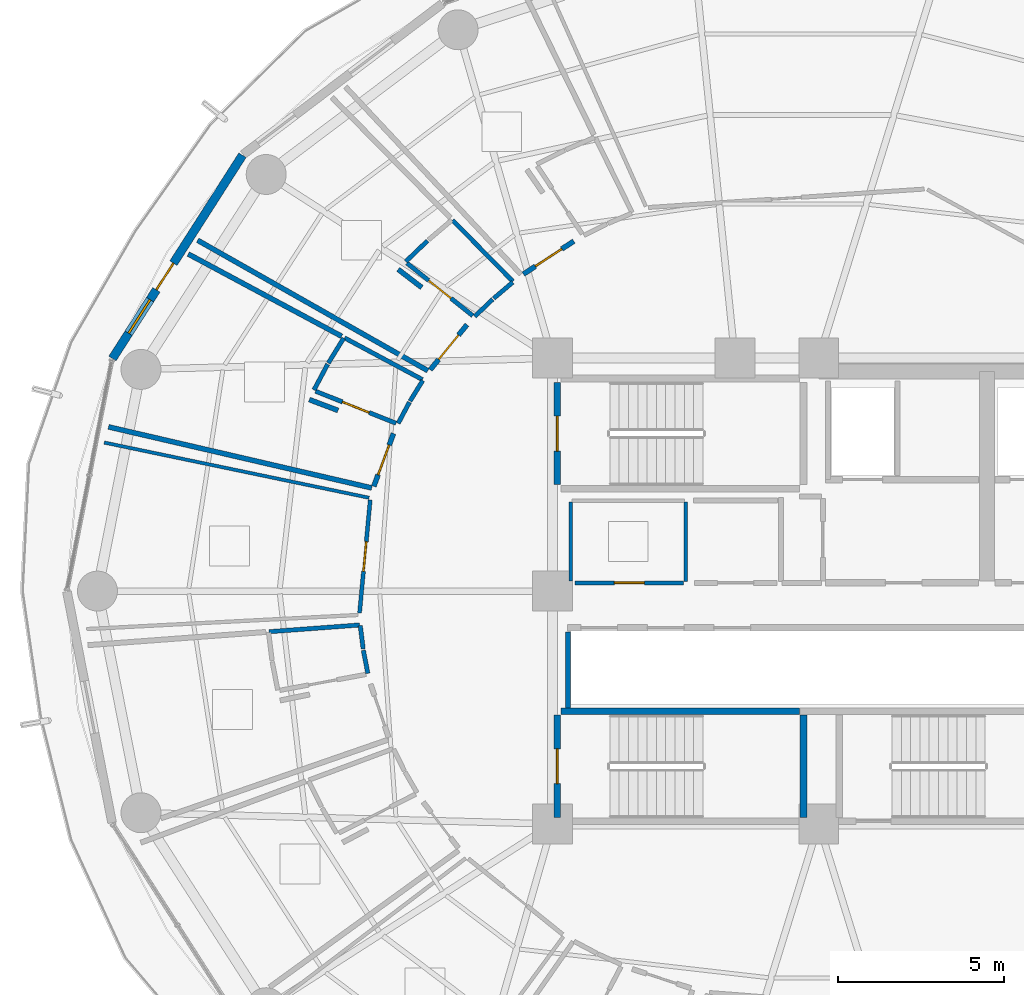
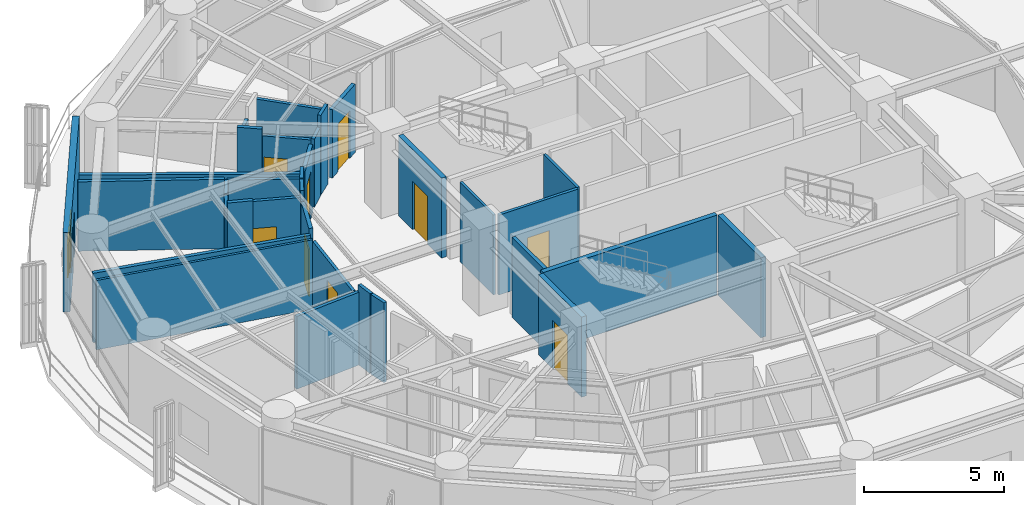
# One storey, part 22 of 29: 33 walls, 10 doors, 1 window, 11 openings.
"""IFC4 building model written with IfcOpenShell, lengths in metres."""

from ifc_helpers import new_model, si_unit, direction, frame, frame_2d, origin, place, context, subcontext, project, spatial, rectangle, extrude, material, layer, layer_set, type_object, element, fill, save


model = new_model("IFC4")

# Units and contexts
model_context = context("Model", 3, precision=1e-05, world=origin(), true_north=direction((0.0, 1.0)))
body_context = subcontext(model_context, "Body", "Model", "MODEL_VIEW")
ifc_project = project(units=[si_unit("LENGTHUNIT", "METRE"), si_unit("AREAUNIT", "SQUARE_METRE"), si_unit("VOLUMEUNIT", "CUBIC_METRE"), si_unit("PLANEANGLEUNIT", "RADIAN"), si_unit("MASSUNIT", "GRAM", prefix="KILO")], contexts=[model_context])

# Site, building, storey
site_placement = place(None, origin())
site = spatial("IfcSite", under=ifc_project, at=site_placement, CompositionType="ELEMENT")
building_placement = place(site_placement, origin())
building = spatial("IfcBuilding", under=site, at=building_placement, Name="Kelanora Arch Commons", CompositionType="ELEMENT")
storey_placement = place(building_placement, frame((0.0, 0.0, 135.60009765625)))
storey = spatial("IfcBuildingStorey", under=building, at=storey_placement, Name="L34", CompositionType="ELEMENT", Elevation=135.60009765625)

# Wall
ifc_material_1 = material(Name="Autoclaved aerated concrete blockwork with fire plaster", Category="masonry")
ifc_layer_1 = layer(ifc_material_1, 0.14990234375)
ifc_layer_set_1 = layer_set([ifc_layer_1], Name="Autoclaved aerated concrete blockwork with fire plaster")
wall_type_1 = type_object("IfcWallType", Name="W-COMP-150", PredefinedType="PARTITIONING", material=ifc_layer_set_1)
wall_1_placement = place(storey_placement, frame((66.4599609375, 54.47998046875, 0.0), z_axis=(0.0, 0.0, 1.0), x_axis=(0.0, 1.0, 0.0)))
element("IfcWall", 1, at=wall_1_placement, inside=storey, type_object=wall_type_1, Name="South Lift Bank West Wall L34", PredefinedType="PARTITIONING", context=body_context, shape_type="SweptSolid", body=[
    extrude(rectangle(XDim=2.2900390625, YDim=0.14990234375, at=frame_2d((1.14501953125, 0.0))), origin(), (0.0, 0.0, 1.0), 3.47998046875),
])

# Wall, opening, door
wall_2_placement = place(storey_placement, frame((66.63671875, 68.51708984375, 0.0), z_axis=(0.0, 0.0, 1.0), x_axis=(-0.836795974783, -0.547514836864, 0.0)))
wall_2 = element("IfcWall", 2, at=wall_2_placement, inside=storey, type_object=wall_type_1, Name="Cluster Bedroom L34-01 Entry Partition", PredefinedType="PARTITIONING", context=body_context, shape_type="SweptSolid", body=[
    extrude(rectangle(XDim=1.80859375, YDim=0.14990234375, at=frame_2d((0.904296875, 0.0))), origin(), (0.0, 0.0, 1.0), 2.974853515625),
])
opening_1_placement = place(wall_2_placement, frame((0.428955078125, 0.0, 0.0)))
opening_1 = element("IfcOpeningElement", 3, at=opening_1_placement, cuts=wall_2, Name="Opening D-CLU1", PredefinedType="OPENING", context=body_context, shape_type="SweptSolid", body=[
    extrude(rectangle(XDim=0.949951171875, YDim=2.080078125, at=frame_2d((0.47509765625, 1.0400390625))), frame((0.0, 0.0849609375, 0.0), z_axis=(0.0, -1.0, 0.0), x_axis=(1.0, 0.0, 0.0)), (0.0, 0.0, 1.0), 0.169921875),
])
ifc_material_2 = material(Name="Solid-core acoustic timber cluster entry fire door", Category="wood")
door_type_1 = type_object("IfcDoorType", Name="D-CLU-95", OperationType="NOTDEFINED", PredefinedType="DOOR", material=ifc_material_2)
door_1_placement = place(opening_1_placement, origin())
door_1 = element("IfcDoor", 4, at=door_1_placement, inside=storey, type_object=door_type_1, Name="Cluster Bedroom L34-01 Door", OperationType="SINGLE_SWING_LEFT", OverallHeight=2.080078125, OverallWidth=0.949951171875, PredefinedType="DOOR", context=body_context, shape_type="SweptSolid", body=[
    extrude(rectangle(XDim=0.949951171875, YDim=2.080078125, at=frame_2d((0.47509765625, 1.0400390625))), frame((0.0, 0.02490234375, 0.0), z_axis=(0.0, -1.0, 0.0), x_axis=(1.0, 0.0, 0.0)), (0.0, 0.0, 1.0), 0.050048828125),
])
fill(opening_1, door_1)

wall_3_placement = place(storey_placement, frame((63.426025390625, 66.005615234375, 0.0), z_axis=(0.0, 0.0, 1.0), x_axis=(-0.63192798372, -0.775027111391, 0.0)))
wall_3 = element("IfcWall", 5, at=wall_3_placement, inside=storey, type_object=wall_type_1, Name="Cluster Bedroom L34-02 Entry Partition", PredefinedType="PARTITIONING", context=body_context, shape_type="SweptSolid", body=[
    extrude(rectangle(XDim=1.7470703125, YDim=0.14990234375, at=frame_2d((0.87353515625, 0.0))), origin(), (0.0, 0.0, 1.0), 2.974853515625),
])
opening_2_placement = place(wall_3_placement, frame((0.39892578125, 0.0, 0.0)))
opening_2 = element("IfcOpeningElement", 6, at=opening_2_placement, cuts=wall_3, Name="Opening D-CLU1", PredefinedType="OPENING", context=body_context, shape_type="SweptSolid", body=[
    extrude(rectangle(XDim=0.949951171875, YDim=2.080078125, at=frame_2d((0.47509765625, 1.0400390625))), frame((0.0, 0.0849609375, 0.0), z_axis=(0.0, -1.0, 0.0), x_axis=(1.0, 0.0, 0.0)), (0.0, 0.0, 1.0), 0.169921875),
])
door_2_placement = place(opening_2_placement, origin())
door_2 = element("IfcDoor", 7, at=door_2_placement, inside=storey, type_object=door_type_1, Name="Cluster Bedroom L34-02 Door", OperationType="SINGLE_SWING_LEFT", OverallHeight=2.080078125, OverallWidth=0.949951171875, PredefinedType="DOOR", context=body_context, shape_type="SweptSolid", body=[
    extrude(rectangle(XDim=0.949951171875, YDim=2.080078125, at=frame_2d((0.47509765625, 1.0400390625))), frame((0.0, 0.02490234375, 0.0), z_axis=(0.0, -1.0, 0.0), x_axis=(1.0, 0.0, 0.0)), (0.0, 0.0, 1.0), 0.050048828125),
])
fill(opening_2, door_2)

wall_4_placement = place(storey_placement, frame((61.218017578125, 62.73583984375, 0.0), z_axis=(0.0, 0.0, 1.0), x_axis=(-0.349718783302, -0.93685472332, 0.0)))
wall_4 = element("IfcWall", 8, at=wall_4_placement, inside=storey, type_object=wall_type_1, Name="Cluster Bedroom L34-03 Entry Partition", PredefinedType="PARTITIONING", context=body_context, shape_type="SweptSolid", body=[
    extrude(rectangle(XDim=1.69580078125, YDim=0.14990234375, at=frame_2d((0.847900390625, 0.0))), origin(), (0.0, 0.0, 1.0), 3.23486328125),
])
opening_3_placement = place(wall_4_placement, frame((0.373046875, 0.0, 0.0)))
opening_3 = element("IfcOpeningElement", 9, at=opening_3_placement, cuts=wall_4, Name="Opening D-CLU1", PredefinedType="OPENING", context=body_context, shape_type="SweptSolid", body=[
    extrude(rectangle(XDim=0.949951171875, YDim=2.080078125, at=frame_2d((0.47509765625, 1.0400390625))), frame((0.0, 0.0849609375, 0.0), z_axis=(0.0, -1.0, 0.0), x_axis=(1.0, 0.0, 0.0)), (0.0, 0.0, 1.0), 0.169921875),
])
door_3_placement = place(opening_3_placement, origin())
door_3 = element("IfcDoor", 10, at=door_3_placement, inside=storey, type_object=door_type_1, Name="Cluster Bedroom L34-03 Door", OperationType="SINGLE_SWING_LEFT", OverallHeight=2.080078125, OverallWidth=0.949951171875, PredefinedType="DOOR", context=body_context, shape_type="SweptSolid", body=[
    extrude(rectangle(XDim=0.949951171875, YDim=2.080078125, at=frame_2d((0.47509765625, 1.0400390625))), frame((0.0, 0.02490234375, 0.0), z_axis=(0.0, -1.0, 0.0), x_axis=(1.0, 0.0, 0.0)), (0.0, 0.0, 1.0), 0.050048828125),
])
fill(opening_3, door_3)

# Walls
wall_5_placement = place(storey_placement, frame((62.249267578125, 64.624755859375, 0.0), z_axis=(0.0, 0.0, 1.0), x_axis=(-0.870077493263, 0.492914957896, 0.0)))
element("IfcWall", 11, at=wall_5_placement, inside=storey, type_object=wall_type_1, Name="Cluster Bedroom L34-02 Enclosure Partition 2", PredefinedType="PARTITIONING", context=body_context, shape_type="SweptSolid", body=[
    extrude(rectangle(XDim=7.95166015625, YDim=0.14990234375, at=frame_2d((3.975830078125, 0.0))), origin(), (0.0, 0.0, 1.0), 2.974853515625),
])
wall_6_placement = place(storey_placement, frame((61.359619140625, 67.668701171875, 0.0), z_axis=(0.0, 0.0, 1.0), x_axis=(0.793020417561, -0.609195056884, 0.0)))
element("IfcWall", 12, at=wall_6_placement, inside=storey, type_object=wall_type_1, Name="Cluster Bedroom L34-02 Enclosure Partition 7", PredefinedType="PARTITIONING", context=body_context, shape_type="SweptSolid", body=[
    extrude(rectangle(XDim=0.892578125, YDim=0.14990234375, at=frame_2d((0.4462890625, 0.0))), origin(), (0.0, 0.0, 1.0), 3.47998046875),
])
wall_7_placement = place(storey_placement, frame((60.56494140625, 61.10009765625, 0.0), z_axis=(0.0, 0.0, 1.0), x_axis=(-0.97414388338, 0.225928516292, 0.0)))
element("IfcWall", 13, at=wall_7_placement, inside=storey, type_object=wall_type_1, Name="Cluster Bedroom L34-03 Enclosure Partition 2", PredefinedType="PARTITIONING", context=body_context, shape_type="SweptSolid", body=[
    extrude(rectangle(XDim=8.121826171875, YDim=0.14990234375, at=frame_2d((4.06103515625, 0.0))), origin(), (0.0, 0.0, 1.0), 3.02490234375),
])
wall_8_placement = place(storey_placement, frame((55.04931640625, 68.131103515625, 0.0), z_axis=(0.0, 0.0, 1.0), x_axis=(0.881257916537, -0.472635678447, 0.0)))
element("IfcWall", 14, at=wall_8_placement, inside=storey, type_object=wall_type_1, Name="Cluster Bedroom L34-03 Enclosure Partition 5", PredefinedType="PARTITIONING", context=body_context, shape_type="SweptSolid", body=[
    extrude(rectangle(XDim=5.232666015625, YDim=0.14990234375, at=frame_2d((2.6162109375, 0.0))), origin(), (0.0, 0.0, 1.0), 3.02490234375),
])
wall_9_placement = place(storey_placement, frame((58.6884765625, 63.7548828125, 0.0), z_axis=(0.0, 0.0, 1.0), x_axis=(0.935532386314, -0.353240929336, 0.0)))
element("IfcWall", 15, at=wall_9_placement, inside=storey, type_object=wall_type_1, Name="Cluster Bedroom L34-03 Enclosure Partition 7", PredefinedType="PARTITIONING", context=body_context, shape_type="SweptSolid", body=[
    extrude(rectangle(XDim=0.921875, YDim=0.14990234375, at=frame_2d((0.4609375, 0.0))), origin(), (0.0, 0.0, 1.0), 3.47998046875),
])

# Wall, openings, door, window
ifc_material_3 = material(Name="Precast concrete C40/50 with terracotta rainscreen", Category="masonry")
ifc_layer_2 = layer(ifc_material_3, 0.260009765625)
ifc_layer_set_2 = layer_set([ifc_layer_2], Name="Precast concrete C40/50 with terracotta rainscreen")
wall_type_2 = type_object("IfcWallType", Name="W-EXT-TC", PredefinedType="SOLIDWALL", material=ifc_layer_set_2)
wall_10_placement = place(storey_placement, frame((56.67919921875, 71.100341796875, 0.0), z_axis=(0.0, 0.0, 1.0), x_axis=(-0.538801521808, -0.842432739213, 0.0)))
wall_10 = element("IfcWall", 16, at=wall_10_placement, inside=storey, type_object=wall_type_2, Name="Terracotta Exterior Wall L34-B07", PredefinedType="SOLIDWALL", context=body_context, shape_type="SweptSolid", body=[
    extrude(rectangle(XDim=7.25341796875, YDim=0.260009765625, at=frame_2d((3.626708984375, 0.0))), origin(), (0.0, 0.0, 1.0), 3.474853515625),
])
opening_4_placement = place(wall_10_placement, frame((3.85205078125, 0.0, 0.0)))
opening_4 = element("IfcOpeningElement", 17, at=opening_4_placement, cuts=wall_10, Name="Opening DB-01", PredefinedType="OPENING", context=body_context, shape_type="SweptSolid", body=[
    extrude(rectangle(XDim=0.949951171875, YDim=2.10009765625, at=frame_2d((0.47509765625, 1.050048828125))), frame((0.0, 0.14013671875, 0.0), z_axis=(0.0, -1.0, 0.0), x_axis=(1.0, 0.0, 0.0)), (0.0, 0.0, 1.0), 0.280029296875),
])
opening_5_placement = place(wall_10_placement, frame((5.152099609375, 0.0, 0.85009765625)))
opening_5 = element("IfcOpeningElement", 18, at=opening_5_placement, cuts=wall_10, Name="Opening WN-02", PredefinedType="OPENING", context=body_context, shape_type="SweptSolid", body=[
    extrude(rectangle(XDim=1.199951171875, YDim=1.449951171875, at=frame_2d((0.60009765625, 0.72509765625))), frame((0.0, 0.14013671875, 0.0), z_axis=(0.0, -1.0, 0.0), x_axis=(1.0, 0.0, 0.0)), (0.0, 0.0, 1.0), 0.280029296875),
])
ifc_material_4 = material(Name="Terracotta-aluminium thermally broken glazed balcony door", Category="masonry")
door_type_2 = type_object("IfcDoorType", Name="D-BAL-10", OperationType="NOTDEFINED", PredefinedType="DOOR", material=ifc_material_4)
door_4_placement = place(opening_4_placement, frame((0.949951171875, 0.0, 0.0), z_axis=(0.0, 0.0, 1.0), x_axis=(-1.0, 0.0, 0.0)))
door_4 = element("IfcDoor", 19, at=door_4_placement, inside=storey, type_object=door_type_2, Name="Wave Balcony Door L34-B07", OperationType="SINGLE_SWING_RIGHT", OverallHeight=2.10009765625, OverallWidth=0.949951171875, PredefinedType="DOOR", context=body_context, shape_type="SweptSolid", body=[
    extrude(rectangle(XDim=0.949951171875, YDim=2.10009765625, at=frame_2d((0.47509765625, 1.050048828125))), frame((0.0, 0.02490234375, 0.0), z_axis=(0.0, -1.0, 0.0), x_axis=(1.0, 0.0, 0.0)), (0.0, 0.0, 1.0), 0.050048828125),
])
fill(opening_4, door_4)
ifc_material_5 = material(Name="Terracotta-anodised aluminium frame with operable awning sash", Category="masonry")
window_type = type_object("IfcWindowType", Name="WIN-CL-12", PartitioningType="SINGLE_PANEL", PredefinedType="WINDOW", material=ifc_material_5)
window_placement = place(opening_5_placement, origin())
window = element("IfcWindow", 20, at=window_placement, inside=storey, type_object=window_type, Name="Co-Living Operable Window L34-B07", OverallHeight=1.449951171875, OverallWidth=1.199951171875, PartitioningType="SINGLE_PANEL", PredefinedType="WINDOW", context=body_context, shape_type="SweptSolid", body=[
    extrude(rectangle(XDim=1.199951171875, YDim=1.449951171875, at=frame_2d((0.60009765625, 0.72509765625))), frame((0.0, 0.030029296875, 0.0), z_axis=(0.0, -1.0, 0.0), x_axis=(1.0, 0.0, 0.0)), (0.0, 0.0, 1.0), 0.06005859375),
])
fill(opening_5, window)

# Walls
ifc_material_6 = material(Name="Lightweight fire-rated acoustic stud partition")
ifc_layer_3 = layer(ifc_material_6, 0.10009765625)
ifc_layer_set_3 = layer_set([ifc_layer_3], Name="Lightweight fire-rated acoustic stud partition")
wall_type_3 = type_object("IfcWallType", Name="W-PART-100", PredefinedType="PARTITIONING", material=ifc_layer_set_3)
wall_11_placement = place(storey_placement, frame((70.0, 58.2900390625, 0.0), z_axis=(0.0, 0.0, 1.0), x_axis=(0.0, 1.0, 0.0)))
element("IfcWall", 21, at=wall_11_placement, inside=storey, type_object=wall_type_3, Name="Reclaimed Core Quiet Phone Booths L34 Enclosure Partition 2", PredefinedType="PARTITIONING", context=body_context, shape_type="SweptSolid", body=[
    extrude(rectangle(XDim=2.389892578125, YDim=0.10009765625, at=frame_2d((1.19482421875, 0.0))), origin(), (0.0, 0.0, 1.0), 3.47998046875),
])
wall_12_placement = place(storey_placement, frame((66.550048828125, 60.679931640625, 0.0), z_axis=(0.0, 0.0, 1.0), x_axis=(0.0, -1.0, 0.0)))
element("IfcWall", 22, at=wall_12_placement, inside=storey, type_object=wall_type_3, Name="Reclaimed Core Quiet Phone Booths L34 Enclosure Partition 4", PredefinedType="PARTITIONING", context=body_context, shape_type="SweptSolid", body=[
    extrude(rectangle(XDim=2.383056640625, YDim=0.10009765625, at=frame_2d((1.19140625, 0.0))), origin(), (0.0, 0.0, 1.0), 3.47998046875),
])
wall_13_placement = place(storey_placement, frame((52.525146484375, 62.4638671875, 0.0), z_axis=(0.0, 0.0, 1.0), x_axis=(0.978946183013, -0.204118521367, 0.0)))
element("IfcWall", 23, at=wall_13_placement, inside=storey, type_object=wall_type_3, Name="Shared Cluster Kitchen L34-04 Enclosure Partition 4", PredefinedType="PARTITIONING", context=body_context, shape_type="SweptSolid", body=[
    extrude(rectangle(XDim=8.130859375, YDim=0.10009765625, at=frame_2d((4.0654296875, 0.0))), origin(), (0.0, 0.0, 1.0), 3.02490234375),
])

# Wall, opening, door
ifc_material_7 = material(Name="Acoustic twin-stud fire-rated gypsum partition")
ifc_layer_4 = layer(ifc_material_7, 0.1201171875)
ifc_layer_set_4 = layer_set([ifc_layer_4], Name="Acoustic twin-stud fire-rated gypsum partition")
wall_type_4 = type_object("IfcWallType", Name="W-PART-120", PredefinedType="PARTITIONING", material=ifc_layer_set_4)
wall_14_placement = place(storey_placement, frame((66.67529296875, 58.25, 0.0), z_axis=(0.0, 0.0, 1.0), x_axis=(1.0, 0.0, 0.0)))
wall_14 = element("IfcWall", 24, at=wall_14_placement, inside=storey, type_object=wall_type_4, Name="Reclaimed Core Quiet Phone Booths L34 Entry Partition", PredefinedType="PARTITIONING", context=body_context, shape_type="SweptSolid", body=[
    extrude(rectangle(XDim=3.2646484375, YDim=0.1201171875, at=frame_2d((1.63232421875, 0.0))), origin(), (0.0, 0.0, 1.0), 3.47998046875),
])
opening_6_placement = place(wall_14_placement, frame((1.181884765625, 0.0, 0.0)))
opening_6 = element("IfcOpeningElement", 25, at=opening_6_placement, cuts=wall_14, Name="Opening D-RM1", PredefinedType="OPENING", context=body_context, shape_type="SweptSolid", body=[
    extrude(rectangle(XDim=0.89990234375, YDim=2.080078125, at=frame_2d((0.449951171875, 1.0400390625))), frame((0.0, 0.070068359375, 0.0), z_axis=(0.0, -1.0, 0.0), x_axis=(1.0, 0.0, 0.0)), (0.0, 0.0, 1.0), 0.14013671875),
])
ifc_material_8 = material(Name="Acoustic fire-rated timber study and lounge door", Category="wood")
door_type_3 = type_object("IfcDoorType", Name="D-ROOM-90", OperationType="NOTDEFINED", PredefinedType="DOOR", material=ifc_material_8)
door_5_placement = place(opening_6_placement, origin())
door_5 = element("IfcDoor", 26, at=door_5_placement, inside=storey, type_object=door_type_3, Name="Reclaimed Core Quiet Phone Booths L34 Door", OperationType="SINGLE_SWING_RIGHT", OverallHeight=2.080078125, OverallWidth=0.89990234375, PredefinedType="DOOR", context=body_context, shape_type="SweptSolid", body=[
    extrude(rectangle(XDim=0.89990234375, YDim=2.080078125, at=frame_2d((0.449951171875, 1.0400390625))), frame((0.0, 0.02490234375, 0.0), z_axis=(0.0, -1.0, 0.0), x_axis=(1.0, 0.0, 0.0)), (0.0, 0.0, 1.0), 0.050048828125),
])
fill(opening_6, door_5)

wall_15_placement = place(storey_placement, frame((60.518310546875, 60.736328125, 0.0), z_axis=(0.0, 0.0, 1.0), x_axis=(-0.093855600535, -0.995585820634, 0.0)))
wall_15 = element("IfcWall", 27, at=wall_15_placement, inside=storey, type_object=wall_type_4, Name="Shared Cluster Kitchen L34-04 Entry Partition", PredefinedType="PARTITIONING", context=body_context, shape_type="SweptSolid", body=[
    extrude(rectangle(XDim=3.40771484375, YDim=0.1201171875, at=frame_2d((1.703857421875, 0.0))), origin(), (0.0, 0.0, 1.0), 2.974853515625),
])
opening_7_placement = place(wall_15_placement, frame((1.25390625, 0.0, 0.0)))
opening_7 = element("IfcOpeningElement", 28, at=opening_7_placement, cuts=wall_15, Name="Opening D-RM1", PredefinedType="OPENING", context=body_context, shape_type="SweptSolid", body=[
    extrude(rectangle(XDim=0.89990234375, YDim=2.080078125, at=frame_2d((0.449951171875, 1.0400390625))), frame((0.0, 0.070068359375, 0.0), z_axis=(0.0, -1.0, 0.0), x_axis=(1.0, 0.0, 0.0)), (0.0, 0.0, 1.0), 0.14013671875),
])
door_6_placement = place(opening_7_placement, origin())
door_6 = element("IfcDoor", 29, at=door_6_placement, inside=storey, type_object=door_type_3, Name="Shared Cluster Kitchen L34-04 Door", OperationType="SINGLE_SWING_RIGHT", OverallHeight=2.080078125, OverallWidth=0.89990234375, PredefinedType="DOOR", context=body_context, shape_type="SweptSolid", body=[
    extrude(rectangle(XDim=0.89990234375, YDim=2.080078125, at=frame_2d((0.449951171875, 1.0400390625))), frame((0.0, 0.02490234375, 0.0), z_axis=(0.0, -1.0, 0.0), x_axis=(1.0, 0.0, 0.0)), (0.0, 0.0, 1.0), 0.050048828125),
])
fill(opening_7, door_6)

ifc_material_9 = material(Name="Concrete C40/50", Category="concrete")
ifc_layer_5 = layer(ifc_material_9, 0.199951171875)
ifc_layer_set_5 = layer_set([ifc_layer_5], Name="Concrete C40/50")
wall_type_5 = type_object("IfcWallType", Name="W-STAIR-200", PredefinedType="SHEAR", material=ifc_layer_set_5)
wall_16_placement = place(storey_placement, frame((66.139892578125, 64.27001953125, 0.0), z_axis=(0.0, 0.0, 1.0), x_axis=(0.0, -1.0, 0.0)))
wall_16 = element("IfcWall", 30, at=wall_16_placement, inside=storey, type_object=wall_type_5, Name="Stair ST-T1 Shaft Wall W L34", PredefinedType="SHEAR", context=body_context, shape_type="SweptSolid", body=[
    extrude(rectangle(XDim=3.070068359375, YDim=0.199951171875, at=frame_2d((1.53515625, 0.0))), origin(), (0.0, 0.0, 1.0), 3.489990234375),
])
opening_8_placement = place(wall_16_placement, frame((1.010009765625, 0.0, 0.0)))
opening_8 = element("IfcOpeningElement", 31, at=opening_8_placement, cuts=wall_16, Name="Opening D-ST1", PredefinedType="OPENING", context=body_context, shape_type="SweptSolid", body=[
    extrude(rectangle(XDim=1.050048828125, YDim=2.10009765625, at=frame_2d((0.52490234375, 1.050048828125))), frame((0.0, 0.10986328125, 0.0), z_axis=(0.0, -1.0, 0.0), x_axis=(1.0, 0.0, 0.0)), (0.0, 0.0, 1.0), 0.219970703125),
])
ifc_material_10 = material(Name="Steel fire-rated stairwell escape door", Category="steel")
door_type_4 = type_object("IfcDoorType", Name="D-STAIR-110", OperationType="NOTDEFINED", PredefinedType="DOOR", material=ifc_material_10)
door_7_placement = place(opening_8_placement, origin())
door_7 = element("IfcDoor", 32, at=door_7_placement, inside=storey, type_object=door_type_4, Name="Stair ST-T1 Escape Door L34", OperationType="SINGLE_SWING_LEFT", OverallHeight=2.10009765625, OverallWidth=1.050048828125, PredefinedType="DOOR", context=body_context, shape_type="SweptSolid", body=[
    extrude(rectangle(XDim=1.050048828125, YDim=2.10009765625, at=frame_2d((0.52490234375, 1.050048828125))), frame((0.0, 0.02490234375, 0.0), z_axis=(0.0, -1.0, 0.0), x_axis=(1.0, 0.0, 0.0)), (0.0, 0.0, 1.0), 0.050048828125),
])
fill(opening_8, door_7)

# Walls
wall_17_placement = place(storey_placement, frame((73.5400390625, 51.199951171875, 0.0), z_axis=(0.0, 0.0, 1.0), x_axis=(0.0, 1.0, 0.0)))
element("IfcWall", 33, at=wall_17_placement, inside=storey, type_object=wall_type_5, Name="Stair ST-T3 Shaft Wall E L34", PredefinedType="SHEAR", context=body_context, shape_type="SweptSolid", body=[
    extrude(rectangle(XDim=3.070068359375, YDim=0.199951171875, at=frame_2d((1.53515625, 0.0))), origin(), (0.0, 0.0, 1.0), 3.489990234375),
])
wall_18_placement = place(storey_placement, frame((73.419921875, 54.389892578125, 0.0), z_axis=(0.0, 0.0, 1.0), x_axis=(-1.0, 0.0, 0.0)))
element("IfcWall", 34, at=wall_18_placement, inside=storey, type_object=wall_type_5, Name="Stair ST-T3 Shaft Wall N L34", PredefinedType="SHEAR", context=body_context, shape_type="SweptSolid", body=[
    extrude(rectangle(XDim=7.159912109375, YDim=0.199951171875, at=frame_2d((3.580078125, 0.0))), origin(), (0.0, 0.0, 1.0), 3.489990234375),
])

# Wall, opening, door
wall_19_placement = place(storey_placement, frame((66.139892578125, 54.27001953125, 0.0), z_axis=(0.0, 0.0, 1.0), x_axis=(0.0, -1.0, 0.0)))
wall_19 = element("IfcWall", 35, at=wall_19_placement, inside=storey, type_object=wall_type_5, Name="Stair ST-T3 Shaft Wall W L34", PredefinedType="SHEAR", context=body_context, shape_type="SweptSolid", body=[
    extrude(rectangle(XDim=3.070068359375, YDim=0.199951171875, at=frame_2d((1.53515625, 0.0))), origin(), (0.0, 0.0, 1.0), 3.489990234375),
])
opening_9_placement = place(wall_19_placement, frame((1.010009765625, 0.0, 0.0)))
opening_9 = element("IfcOpeningElement", 36, at=opening_9_placement, cuts=wall_19, Name="Opening D-ST1", PredefinedType="OPENING", context=body_context, shape_type="SweptSolid", body=[
    extrude(rectangle(XDim=1.050048828125, YDim=2.10009765625, at=frame_2d((0.52490234375, 1.050048828125))), frame((0.0, 0.10986328125, 0.0), z_axis=(0.0, -1.0, 0.0), x_axis=(1.0, 0.0, 0.0)), (0.0, 0.0, 1.0), 0.219970703125),
])
door_8_placement = place(opening_9_placement, origin())
door_8 = element("IfcDoor", 37, at=door_8_placement, inside=storey, type_object=door_type_4, Name="Stair ST-T3 Escape Door L34", OperationType="SINGLE_SWING_LEFT", OverallHeight=2.10009765625, OverallWidth=1.050048828125, PredefinedType="DOOR", context=body_context, shape_type="SweptSolid", body=[
    extrude(rectangle(XDim=1.050048828125, YDim=2.10009765625, at=frame_2d((0.52490234375, 1.050048828125))), frame((0.0, 0.02490234375, 0.0), z_axis=(0.0, -1.0, 0.0), x_axis=(1.0, 0.0, 0.0)), (0.0, 0.0, 1.0), 0.050048828125),
])
fill(opening_9, door_8)

ifc_material_11 = material(Name="Moisture-resistant fire-rated cement-board plumbing wall")
ifc_layer_6 = layer(ifc_material_11, 0.1298828125)
ifc_layer_set_6 = layer_set([ifc_layer_6], Name="Moisture-resistant fire-rated cement-board plumbing wall")
wall_type_6 = type_object("IfcWallType", Name="W-WET-120", PredefinedType="PLUMBINGWALL", material=ifc_layer_set_6)
wall_20_placement = place(storey_placement, frame((63.59912109375, 66.2783203125, 0.0), z_axis=(0.0, 0.0, 1.0), x_axis=(-0.781386491078, 0.624047395284, 0.0)))
wall_20 = element("IfcWall", 38, at=wall_20_placement, inside=storey, type_object=wall_type_6, Name="En-Suite Shower WC L34-02 Entry Partition", PredefinedType="PLUMBINGWALL", context=body_context, shape_type="SweptSolid", body=[
    extrude(rectangle(XDim=2.529296875, YDim=0.1298828125, at=frame_2d((1.2646484375, 0.0))), origin(), (0.0, 0.0, 1.0), 2.974853515625),
])
opening_10_placement = place(wall_20_placement, frame((0.8349609375, 0.0, 0.0)))
opening_10 = element("IfcOpeningElement", 39, at=opening_10_placement, cuts=wall_20, Name="Opening D-BT1", PredefinedType="OPENING", context=body_context, shape_type="SweptSolid", body=[
    extrude(rectangle(XDim=0.860107421875, YDim=2.050048828125, at=frame_2d((0.43017578125, 1.02490234375))), frame((0.0, 0.074951171875, 0.0), z_axis=(0.0, -1.0, 0.0), x_axis=(1.0, 0.0, 0.0)), (0.0, 0.0, 1.0), 0.14990234375),
])
ifc_material_12 = material(Name="Moisture-sealed fire-rated accessible bathroom door")
door_type_5 = type_object("IfcDoorType", Name="D-BATH-85", OperationType="NOTDEFINED", PredefinedType="DOOR", material=ifc_material_12)
door_9_placement = place(opening_10_placement, origin())
door_9 = element("IfcDoor", 40, at=door_9_placement, inside=storey, type_object=door_type_5, Name="En-Suite Shower WC L34-02 Door", OperationType="SINGLE_SWING_RIGHT", OverallHeight=2.050048828125, OverallWidth=0.860107421875, PredefinedType="DOOR", context=body_context, shape_type="SweptSolid", body=[
    extrude(rectangle(XDim=0.860107421875, YDim=2.050048828125, at=frame_2d((0.43017578125, 1.02490234375))), frame((0.0, 0.02490234375, 0.0), z_axis=(0.0, -1.0, 0.0), x_axis=(1.0, 0.0, 0.0)), (0.0, 0.0, 1.0), 0.050048828125),
])
fill(opening_10, door_9)

wall_21_placement = place(storey_placement, frame((61.293212890625, 63.044189453125, 0.0), z_axis=(0.0, 0.0, 1.0), x_axis=(-0.929051463741, 0.369950507123, 0.0)))
wall_21 = element("IfcWall", 41, at=wall_21_placement, inside=storey, type_object=wall_type_6, Name="En-Suite Shower WC L34-03 Entry Partition", PredefinedType="PLUMBINGWALL", context=body_context, shape_type="SweptSolid", body=[
    extrude(rectangle(XDim=2.60205078125, YDim=0.1298828125, at=frame_2d((1.301025390625, 0.0))), origin(), (0.0, 0.0, 1.0), 3.23486328125),
])
opening_11_placement = place(wall_21_placement, frame((0.87109375, 0.0, 0.0)))
opening_11 = element("IfcOpeningElement", 42, at=opening_11_placement, cuts=wall_21, Name="Opening D-BT1", PredefinedType="OPENING", context=body_context, shape_type="SweptSolid", body=[
    extrude(rectangle(XDim=0.860107421875, YDim=2.050048828125, at=frame_2d((0.43017578125, 1.02490234375))), frame((0.0, 0.074951171875, 0.0), z_axis=(0.0, -1.0, 0.0), x_axis=(1.0, 0.0, 0.0)), (0.0, 0.0, 1.0), 0.14990234375),
])
door_10_placement = place(opening_11_placement, origin())
door_10 = element("IfcDoor", 43, at=door_10_placement, inside=storey, type_object=door_type_5, Name="En-Suite Shower WC L34-03 Door", OperationType="SINGLE_SWING_RIGHT", OverallHeight=2.050048828125, OverallWidth=0.860107421875, PredefinedType="DOOR", context=body_context, shape_type="SweptSolid", body=[
    extrude(rectangle(XDim=0.860107421875, YDim=2.050048828125, at=frame_2d((0.43017578125, 1.02490234375))), frame((0.0, 0.02490234375, 0.0), z_axis=(0.0, -1.0, 0.0), x_axis=(1.0, 0.0, 0.0)), (0.0, 0.0, 1.0), 0.050048828125),
])
fill(opening_11, door_10)

# Walls
wall_22_placement = place(storey_placement, frame((64.802734375, 67.281982421875, 0.0), z_axis=(0.0, 0.0, 1.0), x_axis=(-0.762941836055, -0.646467133578, 0.0)))
element("IfcWall", 44, at=wall_22_placement, inside=storey, type_object=wall_type_6, Name="En-Suite Shower WC L34-02 Enclosure Partition 1", PredefinedType="PLUMBINGWALL", context=body_context, shape_type="SweptSolid", body=[
    extrude(rectangle(XDim=0.75048828125, YDim=0.1298828125, at=frame_2d((0.375244140625, 0.0))), origin(), (0.0, 0.0, 1.0), 3.47998046875),
])
wall_23_placement = place(storey_placement, frame((64.200439453125, 66.770263671875, 0.0), z_axis=(0.0, 0.0, 1.0), x_axis=(-0.723429788657, -0.690397958343, 0.0)))
element("IfcWall", 45, at=wall_23_placement, inside=storey, type_object=wall_type_6, Name="En-Suite Shower WC L34-02 Enclosure Partition 2", PredefinedType="PLUMBINGWALL", context=body_context, shape_type="SweptSolid", body=[
    extrude(rectangle(XDim=0.74658203125, YDim=0.1298828125, at=frame_2d((0.373291015625, 0.0))), origin(), (0.0, 0.0, 1.0), 2.974853515625),
])
wall_24_placement = place(storey_placement, frame((61.590576171875, 67.90771484375, 0.0), z_axis=(0.0, 0.0, 1.0), x_axis=(0.722606643047, 0.691259458831, 0.0)))
element("IfcWall", 46, at=wall_24_placement, inside=storey, type_object=wall_type_6, Name="En-Suite Shower WC L34-02 Enclosure Partition 4", PredefinedType="PLUMBINGWALL", context=body_context, shape_type="SweptSolid", body=[
    extrude(rectangle(XDim=0.9033203125, YDim=0.1298828125, at=frame_2d((0.45166015625, 0.0))), origin(), (0.0, 0.0, 1.0), 2.974853515625),
])
wall_25_placement = place(storey_placement, frame((62.99609375, 69.144775390625, 0.0), z_axis=(0.0, 0.0, 1.0), x_axis=(0.701684931383, -0.712487373271, 0.0)))
element("IfcWall", 47, at=wall_25_placement, inside=storey, type_object=wall_type_6, Name="En-Suite Shower WC L34-02 Enclosure Partition 6", PredefinedType="PLUMBINGWALL", context=body_context, shape_type="SweptSolid", body=[
    extrude(rectangle(XDim=2.576416015625, YDim=0.1298828125, at=frame_2d((1.2880859375, 0.0))), origin(), (0.0, 0.0, 1.0), 3.23486328125),
])
wall_26_placement = place(storey_placement, frame((62.097412109375, 64.3291015625, 0.0), z_axis=(0.0, 0.0, 1.0), x_axis=(-0.524547607878, -0.851381117402, 0.0)))
element("IfcWall", 48, at=wall_26_placement, inside=storey, type_object=wall_type_6, Name="En-Suite Shower WC L34-03 Enclosure Partition 1", PredefinedType="PLUMBINGWALL", context=body_context, shape_type="SweptSolid", body=[
    extrude(rectangle(XDim=0.72607421875, YDim=0.1298828125, at=frame_2d((0.363037109375, 0.0))), origin(), (0.0, 0.0, 1.0), 3.47998046875),
])
wall_27_placement = place(storey_placement, frame((61.696533203125, 63.67626953125, 0.0), z_axis=(0.0, 0.0, 1.0), x_axis=(-0.469163481751, -0.88311133352, 0.0)))
element("IfcWall", 49, at=wall_27_placement, inside=storey, type_object=wall_type_6, Name="En-Suite Shower WC L34-03 Enclosure Partition 2", PredefinedType="PLUMBINGWALL", context=body_context, shape_type="SweptSolid", body=[
    extrude(rectangle(XDim=0.720703125, YDim=0.1298828125, at=frame_2d((0.3603515625, 0.0))), origin(), (0.0, 0.0, 1.0), 3.47998046875),
])
wall_28_placement = place(storey_placement, frame((58.829345703125, 64.046630859375, 0.0), z_axis=(0.0, 0.0, 1.0), x_axis=(0.469311809042, 0.883032516895, 0.0)))
element("IfcWall", 50, at=wall_28_placement, inside=storey, type_object=wall_type_6, Name="En-Suite Shower WC L34-03 Enclosure Partition 4", PredefinedType="PLUMBINGWALL", context=body_context, shape_type="SweptSolid", body=[
    extrude(rectangle(XDim=0.8740234375, YDim=0.1298828125, at=frame_2d((0.43701171875, 0.0))), origin(), (0.0, 0.0, 1.0), 2.974853515625),
])
wall_29_placement = place(storey_placement, frame((59.259521484375, 64.85302734375, 0.0), z_axis=(0.0, 0.0, 1.0), x_axis=(0.524097425664, 0.851658316705, 0.0)))
element("IfcWall", 51, at=wall_29_placement, inside=storey, type_object=wall_type_6, Name="En-Suite Shower WC L34-03 Enclosure Partition 5", PredefinedType="PLUMBINGWALL", context=body_context, shape_type="SweptSolid", body=[
    extrude(rectangle(XDim=0.87939453125, YDim=0.1298828125, at=frame_2d((0.439697265625, 0.0))), origin(), (0.0, 0.0, 1.0), 2.974853515625),
])
wall_30_placement = place(storey_placement, frame((59.74853515625, 65.609619140625, 0.0), z_axis=(0.0, 0.0, 1.0), x_axis=(0.881540078275, -0.472109193296, 0.0)))
element("IfcWall", 52, at=wall_30_placement, inside=storey, type_object=wall_type_6, Name="En-Suite Shower WC L34-03 Enclosure Partition 6", PredefinedType="PLUMBINGWALL", context=body_context, shape_type="SweptSolid", body=[
    extrude(rectangle(XDim=2.656494140625, YDim=0.1298828125, at=frame_2d((1.328125, 0.0))), origin(), (0.0, 0.0, 1.0), 2.974853515625),
])
wall_31_placement = place(storey_placement, frame((60.219482421875, 56.962158203125, 0.0), z_axis=(0.0, 0.0, 1.0), x_axis=(0.12297181285, -0.992410163816, 0.0)))
element("IfcWall", 53, at=wall_31_placement, inside=storey, type_object=wall_type_6, Name="En-Suite Shower WC L34-05 Enclosure Partition 1", PredefinedType="PLUMBINGWALL", context=body_context, shape_type="SweptSolid", body=[
    extrude(rectangle(XDim=0.706787109375, YDim=0.1298828125, at=frame_2d((0.353515625, 0.0))), origin(), (0.0, 0.0, 1.0), 3.47998046875),
])
wall_32_placement = place(storey_placement, frame((60.312744140625, 56.221435546875, 0.0), z_axis=(0.0, 0.0, 1.0), x_axis=(0.190075536698, -0.981769469045, 0.0)))
element("IfcWall", 54, at=wall_32_placement, inside=storey, type_object=wall_type_6, Name="En-Suite Shower WC L34-05 Enclosure Partition 2", PredefinedType="PLUMBINGWALL", context=body_context, shape_type="SweptSolid", body=[
    extrude(rectangle(XDim=0.707763671875, YDim=0.1298828125, at=frame_2d((0.35400390625, 0.0))), origin(), (0.0, 0.0, 1.0), 3.47998046875),
])
wall_33_placement = place(storey_placement, frame((57.48095703125, 56.778564453125, 0.0), z_axis=(0.0, 0.0, 1.0), x_axis=(0.997248398148, 0.074132532608, 0.0)))
element("IfcWall", 55, at=wall_33_placement, inside=storey, type_object=wall_type_6, Name="En-Suite Shower WC L34-05 Enclosure Partition 6", PredefinedType="PLUMBINGWALL", context=body_context, shape_type="SweptSolid", body=[
    extrude(rectangle(XDim=2.7236328125, YDim=0.1298828125, at=frame_2d((1.36181640625, 0.0))), origin(), (0.0, 0.0, 1.0), 3.1748046875),
])

save(model, "model.ifc")
